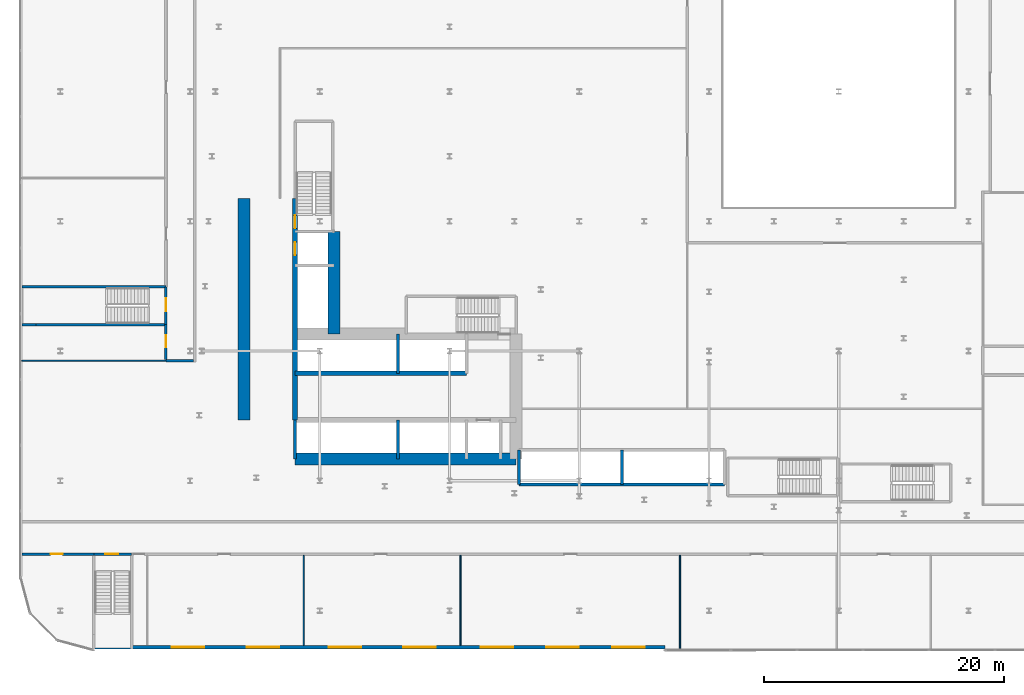
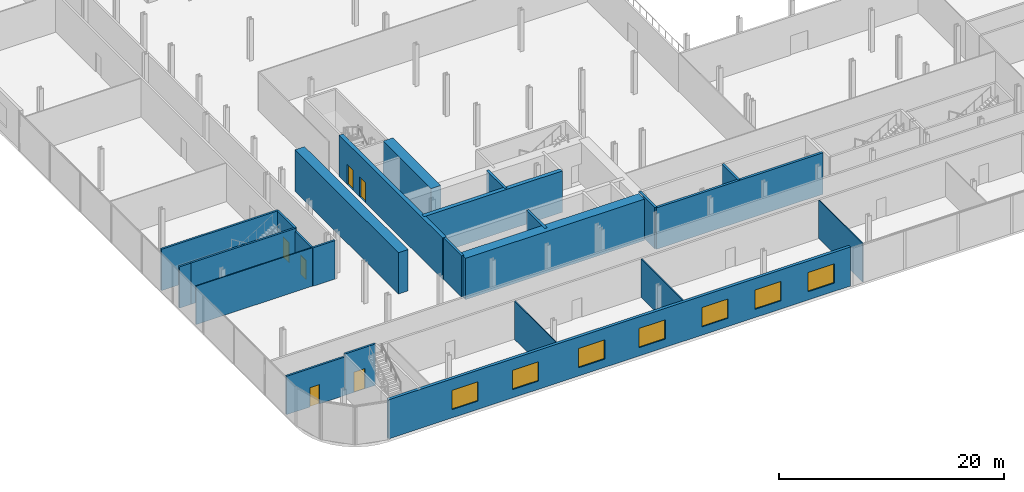
# One storey, part 26 of 47: 24 walls, 7 windows, 6 doors, 13 openings.
"""IFC4 building model written with IfcOpenShell, lengths in metres."""

from ifc_helpers import new_model, si_unit, direction, frame, frame_2d, origin, place, context, subcontext, project, spatial, rectangle, extrude, source, transform, mapped, material, layer, layer_set, type_object, element, fill, save


model = new_model("IFC4")

# Units and contexts
model_context = context("Model", 3, precision=1e-05, world=origin(), true_north=direction((0.0, 1.0)))
body_context = subcontext(model_context, "Body", "Model", "MODEL_VIEW")
ifc_project = project(units=[si_unit("LENGTHUNIT", "METRE"), si_unit("AREAUNIT", "SQUARE_METRE"), si_unit("VOLUMEUNIT", "CUBIC_METRE"), si_unit("PLANEANGLEUNIT", "RADIAN"), si_unit("MASSUNIT", "GRAM", prefix="KILO")], contexts=[model_context])

# Site, building, storey
site_placement = place(None, origin())
site = spatial("IfcSite", under=ifc_project, at=site_placement, CompositionType="ELEMENT")
building_placement = place(site_placement, origin())
building = spatial("IfcBuilding", under=site, at=building_placement, Name="Kheshtan School and Residences Tower", CompositionType="ELEMENT")
storey_placement = place(building_placement, frame((0.0, 0.0, 17.0)))
storey = spatial("IfcBuildingStorey", under=building, at=storey_placement, Name="L03", CompositionType="ELEMENT", Elevation=17.0)

# Walls
ifc_material_1 = material(Name="Concrete C80/95", Category="concrete")
ifc_layer_1 = layer(ifc_material_1, 1.0)
ifc_layer_set_1 = layer_set([ifc_layer_1], Name="Core wall 1000 Concrete C80/95")
wall_type_1 = type_object("IfcWallType", Name="Core wall 1000 Concrete C80/95", PredefinedType="SHEAR", material=ifc_layer_set_1)
wall_1_placement = place(storey_placement, frame((34.75, 25.800048828125, 0.0), z_axis=(0.0, 0.0, 1.0), x_axis=(1.0, 0.0, 0.0)))
element("IfcWall", 1, at=wall_1_placement, inside=storey, type_object=wall_type_1, Name="Core wall CW-REAR-S", PredefinedType="SHEAR", context=body_context, shape_type="SweptSolid", body=[
    extrude(rectangle(XDim=18.39990234375, YDim=1.0, at=frame_2d((9.199951171875, 0.0))), origin(), (0.0, 0.0, 1.0), 4.5),
])
wall_2_placement = place(storey_placement, frame((38.0, 36.199951171875, 0.0), z_axis=(0.0, 0.0, 1.0), x_axis=(0.0, 1.0, 0.0)))
element("IfcWall", 2, at=wall_2_placement, inside=storey, type_object=wall_type_1, Name="Core wall CW-FRONT-W", PredefinedType="SHEAR", context=body_context, shape_type="SweptSolid", body=[
    extrude(rectangle(XDim=8.550048828125, YDim=1.0, at=frame_2d((4.27490234375, 0.0))), origin(), (0.0, 0.0, 1.0), 4.5),
])
wall_3_placement = place(storey_placement, frame((30.5, 29.050048828125, 0.0), z_axis=(0.0, 0.0, 1.0), x_axis=(0.0, 1.0, 0.0)))
element("IfcWall", 3, at=wall_3_placement, inside=storey, type_object=wall_type_1, Name="Core wall CW-REAR-W", PredefinedType="SHEAR", context=body_context, shape_type="SweptSolid", body=[
    extrude(rectangle(XDim=18.449951171875, YDim=1.0, at=frame_2d((9.22509765625, 0.0))), origin(), (0.0, 0.0, 1.0), 4.5),
])
ifc_material_2 = material(Name="Concrete C50/60", Category="concrete")
ifc_layer_2 = layer(ifc_material_2, 0.39990234375)
ifc_layer_set_2 = layer_set([ifc_layer_2], Name="Core wall 400 Concrete C50/60")
wall_type_2 = type_object("IfcWallType", Name="Core wall 400 Concrete C50/60", PredefinedType="SHEAR", material=ifc_layer_set_2)
wall_4_placement = place(storey_placement, frame((34.75, 32.949951171875, 0.0), z_axis=(0.0, 0.0, 1.0), x_axis=(1.0, 0.0, 0.0)))
element("IfcWall", 4, at=wall_4_placement, inside=storey, type_object=wall_type_2, Name="Core wall CW-HALL-S2", PredefinedType="SHEAR", context=body_context, shape_type="SweptSolid", body=[
    extrude(rectangle(XDim=14.25, YDim=0.39990234375, at=frame_2d((7.125, 0.0))), origin(), (0.0, 0.0, 1.0), 4.5),
])

# Wall, openings, doors
wall_5_placement = place(storey_placement, frame((34.75, 29.050048828125, 0.0), z_axis=(0.0, 0.0, 1.0), x_axis=(0.0, 1.0, 0.0)))
wall_5 = element("IfcWall", 5, at=wall_5_placement, inside=storey, type_object=wall_type_2, Name="Core wall CW-HALL-W1", PredefinedType="SHEAR", context=body_context, shape_type="SweptSolid", body=[
    extrude(rectangle(XDim=18.449951171875, YDim=0.39990234375, at=frame_2d((9.22509765625, 0.0))), origin(), (0.0, 0.0, 1.0), 4.5),
])
opening_1_placement = place(wall_5_placement, frame((13.72509765625, 0.0, 0.0)))
opening_1 = element("IfcOpeningElement", 6, at=opening_1_placement, cuts=wall_5, Name="Opening LD", PredefinedType="OPENING", context=body_context, shape_type="SweptSolid", body=[
    extrude(rectangle(XDim=1.10009765625, YDim=2.199951171875, at=frame_2d((0.550048828125, 1.10009765625))), frame((0.0, 0.2099609375, 0.0), z_axis=(0.0, -1.0, 0.0), x_axis=(1.0, 0.0, 0.0)), (0.0, 0.0, 1.0), 0.419921875),
])
opening_2_placement = place(wall_5_placement, frame((15.949951171875, 0.0, 0.0)))
opening_2 = element("IfcOpeningElement", 7, at=opening_2_placement, cuts=wall_5, Name="Opening ST2D", PredefinedType="OPENING", context=body_context, shape_type="SweptSolid", body=[
    extrude(rectangle(XDim=1.10009765625, YDim=2.199951171875, at=frame_2d((0.550048828125, 1.10009765625))), frame((0.0, 0.2099609375, 0.0), z_axis=(0.0, -1.0, 0.0), x_axis=(1.0, 0.0, 0.0)), (0.0, 0.0, 1.0), 0.419921875),
])
ifc_material_3 = material(Name="Stainless steel door leaves", Category="steel")
door_type_1 = type_object("IfcDoorType", Name="Lift landing door 1100", OperationType="SLIDING_TO_LEFT", PredefinedType="DOOR", material=ifc_material_3)
shared_shape_1 = source(origin(), body_context, "Body", "SweptSolid", [
    extrude(rectangle(XDim=1.10009765625, YDim=2.199951171875, at=frame_2d((0.550048828125, 1.10009765625))), frame((0.0, 0.02490234375, 0.0), z_axis=(0.0, -1.0, 0.0), x_axis=(1.0, 0.0, 0.0)), (0.0, 0.0, 1.0), 0.050048828125),
])
door_1_placement = place(opening_1_placement, origin())
door_1 = element("IfcDoor", 8, at=door_1_placement, inside=storey, type_object=door_type_1, Name="Lift FFL1 landing door", OperationType="SLIDING_TO_LEFT", OverallHeight=2.199951171875, OverallWidth=1.10009765625, PredefinedType="DOOR", context=body_context, shape_type="MappedRepresentation", body=[
    mapped(shared_shape_1, transform((0.0, 0.0, 0.0), x_axis=(1.0, 0.0, 0.0), y_axis=(0.0, 1.0, 0.0), z_axis=(0.0, 0.0, 1.0), scale=1.0)),
])
fill(opening_1, door_1)
ifc_material_4 = material(Name="Steel door leaf, galvanised", Category="steel")
door_type_2 = type_object("IfcDoorType", Name="Stair door 1100 steel 90 min", OperationType="SINGLE_SWING_LEFT", PredefinedType="DOOR", material=ifc_material_4)
shared_shape_2 = source(origin(), body_context, "Body", "SweptSolid", [
    extrude(rectangle(XDim=1.10009765625, YDim=2.199951171875, at=frame_2d((0.550048828125, 1.10009765625))), frame((0.0, 0.02490234375, 0.0), z_axis=(0.0, -1.0, 0.0), x_axis=(1.0, 0.0, 0.0)), (0.0, 0.0, 1.0), 0.050048828125),
])
door_2_placement = place(opening_2_placement, origin())
door_2 = element("IfcDoor", 9, at=door_2_placement, inside=storey, type_object=door_type_2, Name="Stair ST2 door", OperationType="SINGLE_SWING_RIGHT", OverallHeight=2.199951171875, OverallWidth=1.10009765625, PredefinedType="DOOR", context=body_context, shape_type="MappedRepresentation", body=[
    mapped(shared_shape_2, transform((0.0, 0.0, 0.0), x_axis=(1.0, 0.0, 0.0), y_axis=(0.0, 1.0, 0.0), z_axis=(0.0, 0.0, 1.0), scale=1.0)),
])
fill(opening_2, door_2)

# Wall, opening, door
ifc_material_5 = material(Name="Gypsum board on steel studs with fire boards", Category="steel")
ifc_layer_3 = layer(ifc_material_5, 0.199951171875)
ifc_layer_set_3 = layer_set([ifc_layer_3], Name="Corridor wall 200")
wall_type_3 = type_object("IfcWallType", Name="Corridor wall 200", PredefinedType="PARTITIONING", material=ifc_layer_set_3)
wall_6_placement = place(storey_placement, frame((12.0, 17.89990234375, 0.0), z_axis=(0.0, 0.0, 1.0), x_axis=(1.0, 0.0, 0.0)))
wall_6 = element("IfcWall", 10, at=wall_6_placement, inside=storey, type_object=wall_type_3, Name="Partition L03-001", PredefinedType="PARTITIONING", context=body_context, shape_type="SweptSolid", body=[
    extrude(rectangle(XDim=6.0, YDim=0.199951171875, at=frame_2d((3.0, 0.0))), origin(), (0.0, 0.0, 1.0), 4.179931640625),
])
opening_3_placement = place(wall_6_placement, frame((2.39990234375, 0.0, 0.0)))
opening_3 = element("IfcOpeningElement", 11, at=opening_3_placement, cuts=wall_6, Name="Opening D03-034", PredefinedType="OPENING", context=body_context, shape_type="SweptSolid", body=[
    extrude(rectangle(XDim=1.0, YDim=2.10009765625, at=frame_2d((0.5, 1.050048828125))), frame((0.0, 0.10986328125, 0.0), z_axis=(0.0, -1.0, 0.0), x_axis=(1.0, 0.0, 0.0)), (0.0, 0.0, 1.0), 0.219970703125),
])
ifc_material_6 = material(Name="Steel-framed fire-resisting door leaf", Category="steel")
door_type_3 = type_object("IfcDoorType", Name="Fire door FD60 1000 x 2100", OperationType="SINGLE_SWING_LEFT", PredefinedType="DOOR", material=ifc_material_6)
shared_shape_3 = source(origin(), body_context, "Body", "SweptSolid", [
    extrude(rectangle(XDim=1.0, YDim=2.10009765625, at=frame_2d((0.5, 1.050048828125))), frame((0.0, 0.02490234375, 0.0), z_axis=(0.0, -1.0, 0.0), x_axis=(1.0, 0.0, 0.0)), (0.0, 0.0, 1.0), 0.050048828125),
])
door_3_placement = place(opening_3_placement, origin())
door_3 = element("IfcDoor", 12, at=door_3_placement, inside=storey, type_object=door_type_3, Name="Door D03-034", OperationType="SINGLE_SWING_LEFT", OverallHeight=2.10009765625, OverallWidth=1.0, PredefinedType="DOOR", context=body_context, shape_type="MappedRepresentation", body=[
    mapped(shared_shape_3, transform((0.0, 0.0, 0.0), x_axis=(1.0, 0.0, 0.0), y_axis=(0.0, 1.0, 0.0), z_axis=(0.0, 0.0, 1.0), scale=1.0)),
])
fill(opening_3, door_3)

# Wall
wall_7_placement = place(storey_placement, frame((24.0, 34.0, 0.0), z_axis=(0.0, 0.0, 1.0), x_axis=(1.0, 0.0, 0.0)))
element("IfcWall", 13, at=wall_7_placement, inside=storey, type_object=wall_type_3, Name="Partition L03-010", PredefinedType="PARTITIONING", context=body_context, shape_type="SweptSolid", body=[
    extrude(rectangle(XDim=2.300048828125, YDim=0.199951171875, at=frame_2d((1.14990234375, 0.0))), origin(), (0.0, 0.0, 1.0), 4.179931640625),
])

# Wall, opening, door
wall_8_placement = place(storey_placement, frame((24.0, 34.10009765625, 0.0), z_axis=(0.0, 0.0, 1.0), x_axis=(0.0, 1.0, 0.0)))
wall_8 = element("IfcWall", 14, at=wall_8_placement, inside=storey, type_object=wall_type_3, Name="Partition L03-011", PredefinedType="PARTITIONING", context=body_context, shape_type="SweptSolid", body=[
    extrude(rectangle(XDim=2.89990234375, YDim=0.199951171875, at=frame_2d((1.449951171875, 0.0))), origin(), (0.0, 0.0, 1.0), 4.179931640625),
])
opening_4_placement = place(wall_8_placement, frame((1.0, 0.0, 0.0)))
opening_4 = element("IfcOpeningElement", 15, at=opening_4_placement, cuts=wall_8, Name="Opening D03-052", PredefinedType="OPENING", context=body_context, shape_type="SweptSolid", body=[
    extrude(rectangle(XDim=1.0, YDim=2.10009765625, at=frame_2d((0.5, 1.050048828125))), frame((0.0, 0.10986328125, 0.0), z_axis=(0.0, -1.0, 0.0), x_axis=(1.0, 0.0, 0.0)), (0.0, 0.0, 1.0), 0.219970703125),
])
door_4_placement = place(opening_4_placement, origin())
door_4 = element("IfcDoor", 16, at=door_4_placement, inside=storey, type_object=door_type_3, Name="Door D03-052", OperationType="SINGLE_SWING_RIGHT", OverallHeight=2.10009765625, OverallWidth=1.0, PredefinedType="DOOR", context=body_context, shape_type="MappedRepresentation", body=[
    mapped(shared_shape_3, transform((0.0, 0.0, 0.0), x_axis=(1.0, 0.0, 0.0), y_axis=(0.0, 1.0, 0.0), z_axis=(0.0, 0.0, 1.0), scale=1.0)),
])
fill(opening_4, door_4)

# Walls
ifc_material_7 = material(Name="Gypsum board on steel studs", Category="steel")
ifc_layer_4 = layer(ifc_material_7, 0.10009765625)
ifc_layer_set_4 = layer_set([ifc_layer_4], Name="Gypsum partition 100")
wall_type_4 = type_object("IfcWallType", Name="Gypsum partition 100", PredefinedType="PARTITIONING", material=ifc_layer_set_4)
wall_9_placement = place(storey_placement, frame((12.0, 34.0, 0.0), z_axis=(0.0, 0.0, 1.0), x_axis=(1.0, 0.0, 0.0)))
element("IfcWall", 17, at=wall_9_placement, inside=storey, type_object=wall_type_4, Name="Partition L03-003", PredefinedType="PARTITIONING", context=body_context, shape_type="SweptSolid", body=[
    extrude(rectangle(XDim=12.0, YDim=0.10009765625, at=frame_2d((6.0, 0.0))), origin(), (0.0, 0.0, 1.0), 4.179931640625),
])
for number, where, z_axis, x_axis, name in (
    (18, (35.47802734375, 10.299072265625, 0.0), (0.0, 0.0, 1.0), (0.0, 1.0, 0.0), "Partition L03-017"),
    (19, (48.52197265625, 10.299072265625, 0.0), (0.0, 0.0, 1.0), (0.0, 1.0, 0.0), "Partition L03-018"),
):
    element("IfcWall", number, at=place(storey_placement, frame(where, z_axis=z_axis, x_axis=x_axis)), inside=storey, type_object=wall_type_4, Name=name, PredefinedType="PARTITIONING", context=body_context, shape_type="SweptSolid", body=[
        extrude(rectangle(XDim=7.5009765625, YDim=0.10009765625, at=frame_2d((3.75048828125, 0.0))), origin(), (0.0, 0.0, 1.0), 4.179931640625),
    ])
wall_10_placement = place(storey_placement, frame((66.782958984375, 10.0, 0.0), z_axis=(0.0, 0.0, 1.0), x_axis=(0.0, 1.0, 0.0)))
element("IfcWall", 20, at=wall_10_placement, inside=storey, type_object=wall_type_4, Name="Partition L03-028", PredefinedType="PARTITIONING", context=body_context, shape_type="SweptSolid", body=[
    extrude(rectangle(XDim=7.800048828125, YDim=0.10009765625, at=frame_2d((3.89990234375, 0.0))), origin(), (0.0, 0.0, 1.0), 4.179931640625),
])

# Wall, openings, windows
ifc_material_8 = material(Name="Concrete C40/50 with ceramic cladding and mineral wool insulation", Category="concrete")
ifc_layer_5 = layer(ifc_material_8, 0.300048828125)
ifc_layer_set_5 = layer_set([ifc_layer_5], Name="Podium external wall 300")
wall_type_5 = type_object("IfcWallType", Name="Podium external wall 300", PredefinedType="SOLIDWALL", material=ifc_layer_set_5)
wall_11_placement = place(storey_placement, frame((65.52001953125, 10.14990234375, 0.0), z_axis=(0.0, 0.0, 1.0), x_axis=(-1.0, 0.0, 0.0)))
wall_11 = element("IfcWall", 21, at=wall_11_placement, inside=storey, type_object=wall_type_5, Name="Podium external wall L03 12.1", PredefinedType="SOLIDWALL", context=body_context, shape_type="SweptSolid", body=[
    extrude(rectangle(XDim=47.52001953125, YDim=0.300048828125, at=frame_2d((23.760009765625, 0.0))), origin(), (0.0, 0.0, 1.0), 4.25),
])
opening_5_placement = place(wall_11_placement, frame((1.68310546875, 0.0, 0.89990234375)))
opening_5 = element("IfcOpeningElement", 22, at=opening_5_placement, cuts=wall_11, Name="Opening WN-D", PredefinedType="OPENING", context=body_context, shape_type="SweptSolid", body=[
    extrude(rectangle(XDim=2.699951171875, YDim=2.10009765625, at=frame_2d((1.35009765625, 1.050048828125))), frame((0.0, 0.16015625, 0.0), z_axis=(0.0, -1.0, 0.0), x_axis=(1.0, 0.0, 0.0)), (0.0, 0.0, 1.0), 0.320068359375),
])
opening_6_placement = place(wall_11_placement, frame((7.14990234375, 0.0, 0.89990234375)))
opening_6 = element("IfcOpeningElement", 23, at=opening_6_placement, cuts=wall_11, Name="Opening WN-D", PredefinedType="OPENING", context=body_context, shape_type="SweptSolid", body=[
    extrude(rectangle(XDim=2.699951171875, YDim=2.10009765625, at=frame_2d((1.35009765625, 1.050048828125))), frame((0.0, 0.16015625, 0.0), z_axis=(0.0, -1.0, 0.0), x_axis=(1.0, 0.0, 0.0)), (0.0, 0.0, 1.0), 0.320068359375),
])
opening_7_placement = place(wall_11_placement, frame((12.616943359375, 0.0, 0.89990234375)))
opening_7 = element("IfcOpeningElement", 24, at=opening_7_placement, cuts=wall_11, Name="Opening WN-D", PredefinedType="OPENING", context=body_context, shape_type="SweptSolid", body=[
    extrude(rectangle(XDim=2.699951171875, YDim=2.10009765625, at=frame_2d((1.35009765625, 1.050048828125))), frame((0.0, 0.16015625, 0.0), z_axis=(0.0, -1.0, 0.0), x_axis=(1.0, 0.0, 0.0)), (0.0, 0.0, 1.0), 0.320068359375),
])
opening_8_placement = place(wall_11_placement, frame((19.06005859375, 0.0, 0.89990234375)))
opening_8 = element("IfcOpeningElement", 25, at=opening_8_placement, cuts=wall_11, Name="Opening WN-D", PredefinedType="OPENING", context=body_context, shape_type="SweptSolid", body=[
    extrude(rectangle(XDim=2.699951171875, YDim=2.10009765625, at=frame_2d((1.35009765625, 1.050048828125))), frame((0.0, 0.16015625, 0.0), z_axis=(0.0, -1.0, 0.0), x_axis=(1.0, 0.0, 0.0)), (0.0, 0.0, 1.0), 0.320068359375),
])
opening_9_placement = place(wall_11_placement, frame((25.280029296875, 0.0, 0.89990234375)))
opening_9 = element("IfcOpeningElement", 26, at=opening_9_placement, cuts=wall_11, Name="Opening WN-D", PredefinedType="OPENING", context=body_context, shape_type="SweptSolid", body=[
    extrude(rectangle(XDim=2.699951171875, YDim=2.10009765625, at=frame_2d((1.35009765625, 1.050048828125))), frame((0.0, 0.16015625, 0.0), z_axis=(0.0, -1.0, 0.0), x_axis=(1.0, 0.0, 0.0)), (0.0, 0.0, 1.0), 0.320068359375),
])
opening_10_placement = place(wall_11_placement, frame((32.10009765625, 0.0, 0.89990234375)))
opening_10 = element("IfcOpeningElement", 27, at=opening_10_placement, cuts=wall_11, Name="Opening WN-D", PredefinedType="OPENING", context=body_context, shape_type="SweptSolid", body=[
    extrude(rectangle(XDim=2.699951171875, YDim=2.10009765625, at=frame_2d((1.35009765625, 1.050048828125))), frame((0.0, 0.16015625, 0.0), z_axis=(0.0, -1.0, 0.0), x_axis=(1.0, 0.0, 0.0)), (0.0, 0.0, 1.0), 0.320068359375),
])
opening_11_placement = place(wall_11_placement, frame((38.320068359375, 0.0, 0.89990234375)))
opening_11 = element("IfcOpeningElement", 28, at=opening_11_placement, cuts=wall_11, Name="Opening WN-D", PredefinedType="OPENING", context=body_context, shape_type="SweptSolid", body=[
    extrude(rectangle(XDim=2.699951171875, YDim=2.10009765625, at=frame_2d((1.35009765625, 1.050048828125))), frame((0.0, 0.16015625, 0.0), z_axis=(0.0, -1.0, 0.0), x_axis=(1.0, 0.0, 0.0)), (0.0, 0.0, 1.0), 0.320068359375),
])
ifc_material_9 = material(Name="Clear low-e glass in thermally broken aluminium frame", Category="aluminium")
window_type = type_object("IfcWindowType", Name="Window WN-D", PartitioningType="SINGLE_PANEL", PredefinedType="WINDOW", material=ifc_material_9)
shared_shape_4 = source(origin(), body_context, "Body", "SweptSolid", [
    extrude(rectangle(XDim=2.699951171875, YDim=2.10009765625, at=frame_2d((1.35009765625, 1.050048828125))), frame((0.0, 0.030029296875, 0.0), z_axis=(0.0, -1.0, 0.0), x_axis=(1.0, 0.0, 0.0)), (0.0, 0.0, 1.0), 0.06005859375),
])
window_1_placement = place(opening_5_placement, origin())
window_1 = element("IfcWindow", 29, at=window_1_placement, inside=storey, type_object=window_type, Name="Window L03 12.1.1", OverallHeight=2.10009765625, OverallWidth=2.699951171875, PartitioningType="SINGLE_PANEL", PredefinedType="WINDOW", context=body_context, shape_type="MappedRepresentation", body=[
    mapped(shared_shape_4, transform((0.0, 0.0, 0.0), x_axis=(1.0, 0.0, 0.0), y_axis=(0.0, 1.0, 0.0), z_axis=(0.0, 0.0, 1.0), scale=1.0)),
])
fill(opening_5, window_1)
window_2_placement = place(opening_6_placement, origin())
window_2 = element("IfcWindow", 30, at=window_2_placement, inside=storey, type_object=window_type, Name="Window L03 12.1.2", OverallHeight=2.10009765625, OverallWidth=2.699951171875, PartitioningType="SINGLE_PANEL", PredefinedType="WINDOW", context=body_context, shape_type="MappedRepresentation", body=[
    mapped(shared_shape_4, transform((0.0, 0.0, 0.0), x_axis=(1.0, 0.0, 0.0), y_axis=(0.0, 1.0, 0.0), z_axis=(0.0, 0.0, 1.0), scale=1.0)),
])
fill(opening_6, window_2)
window_3_placement = place(opening_7_placement, origin())
window_3 = element("IfcWindow", 31, at=window_3_placement, inside=storey, type_object=window_type, Name="Window L03 12.1.3", OverallHeight=2.10009765625, OverallWidth=2.699951171875, PartitioningType="SINGLE_PANEL", PredefinedType="WINDOW", context=body_context, shape_type="MappedRepresentation", body=[
    mapped(shared_shape_4, transform((0.0, 0.0, 0.0), x_axis=(1.0, 0.0, 0.0), y_axis=(0.0, 1.0, 0.0), z_axis=(0.0, 0.0, 1.0), scale=1.0)),
])
fill(opening_7, window_3)
window_4_placement = place(opening_8_placement, origin())
window_4 = element("IfcWindow", 32, at=window_4_placement, inside=storey, type_object=window_type, Name="Window L03 12.1.4", OverallHeight=2.10009765625, OverallWidth=2.699951171875, PartitioningType="SINGLE_PANEL", PredefinedType="WINDOW", context=body_context, shape_type="MappedRepresentation", body=[
    mapped(shared_shape_4, transform((0.0, 0.0, 0.0), x_axis=(1.0, 0.0, 0.0), y_axis=(0.0, 1.0, 0.0), z_axis=(0.0, 0.0, 1.0), scale=1.0)),
])
fill(opening_8, window_4)
window_5_placement = place(opening_9_placement, origin())
window_5 = element("IfcWindow", 33, at=window_5_placement, inside=storey, type_object=window_type, Name="Window L03 12.1.5", OverallHeight=2.10009765625, OverallWidth=2.699951171875, PartitioningType="SINGLE_PANEL", PredefinedType="WINDOW", context=body_context, shape_type="MappedRepresentation", body=[
    mapped(shared_shape_4, transform((0.0, 0.0, 0.0), x_axis=(1.0, 0.0, 0.0), y_axis=(0.0, 1.0, 0.0), z_axis=(0.0, 0.0, 1.0), scale=1.0)),
])
fill(opening_9, window_5)
window_6_placement = place(opening_10_placement, origin())
window_6 = element("IfcWindow", 34, at=window_6_placement, inside=storey, type_object=window_type, Name="Window L03 12.1.6", OverallHeight=2.10009765625, OverallWidth=2.699951171875, PartitioningType="SINGLE_PANEL", PredefinedType="WINDOW", context=body_context, shape_type="MappedRepresentation", body=[
    mapped(shared_shape_4, transform((0.0, 0.0, 0.0), x_axis=(1.0, 0.0, 0.0), y_axis=(0.0, 1.0, 0.0), z_axis=(0.0, 0.0, 1.0), scale=1.0)),
])
fill(opening_10, window_6)
window_7_placement = place(opening_11_placement, origin())
window_7 = element("IfcWindow", 35, at=window_7_placement, inside=storey, type_object=window_type, Name="Window L03 12.1.7", OverallHeight=2.10009765625, OverallWidth=2.699951171875, PartitioningType="SINGLE_PANEL", PredefinedType="WINDOW", context=body_context, shape_type="MappedRepresentation", body=[
    mapped(shared_shape_4, transform((0.0, 0.0, 0.0), x_axis=(1.0, 0.0, 0.0), y_axis=(0.0, 1.0, 0.0), z_axis=(0.0, 0.0, 1.0), scale=1.0)),
])
fill(opening_11, window_7)

# Walls
ifc_material_10 = material(Name="Fire-board shaft wall system")
ifc_layer_6 = layer(ifc_material_10, 0.25)
ifc_layer_set_6 = layer_set([ifc_layer_6], Name="Shaft lining wall 250")
wall_type_6 = type_object("IfcWallType", Name="Shaft lining wall 250", PredefinedType="PARTITIONING", material=ifc_layer_set_6)
for number, where, z_axis, x_axis, name in (
    (36, (34.75, 25.800048828125, 0.0), (0.0, 0.0, 1.0), (0.0, 1.0, 0.0), "Shaft lining wall"),
    (37, (43.300048828125, 25.800048828125, 0.0), (0.0, 0.0, 1.0), (0.0, 1.0, 0.0), "Shaft lining wall"),
    (38, (43.300048828125, 32.949951171875, 0.0), (0.0, 0.0, 1.0), (0.0, 1.0, 0.0), "Shaft lining wall"),
):
    element("IfcWall", number, at=place(storey_placement, frame(where, z_axis=z_axis, x_axis=x_axis)), inside=storey, type_object=wall_type_6, Name=name, PredefinedType="PARTITIONING", context=body_context, shape_type="SweptSolid", body=[
        extrude(rectangle(XDim=3.25, YDim=0.25, at=frame_2d((1.625, 0.0))), origin(), (0.0, 0.0, 1.0), 4.5),
    ])
for number, where, z_axis, x_axis, name in (
    (39, (53.39990234375, 23.699951171875, 0.0), (0.0, 0.0, 1.0), (0.0, 1.0, 0.0), "Shaft lining wall"),
    (40, (61.949951171875, 23.699951171875, 0.0), (0.0, 0.0, 1.0), (0.0, 1.0, 0.0), "Shaft lining wall"),
):
    element("IfcWall", number, at=place(storey_placement, frame(where, z_axis=z_axis, x_axis=x_axis)), inside=storey, type_object=wall_type_6, Name=name, PredefinedType="PARTITIONING", context=body_context, shape_type="SweptSolid", body=[
        extrude(rectangle(XDim=2.85009765625, YDim=0.25, at=frame_2d((1.425048828125, 0.0))), origin(), (0.0, 0.0, 1.0), 4.5),
    ])
wall_12_placement = place(storey_placement, frame((53.39990234375, 23.699951171875, 0.0), z_axis=(0.0, 0.0, 1.0), x_axis=(1.0, 0.0, 0.0)))
element("IfcWall", 41, at=wall_12_placement, inside=storey, type_object=wall_type_6, Name="Shaft lining wall", PredefinedType="PARTITIONING", context=body_context, shape_type="SweptSolid", body=[
    extrude(rectangle(XDim=17.10009765625, YDim=0.25, at=frame_2d((8.550048828125, 0.0))), origin(), (0.0, 0.0, 1.0), 4.5),
])

# Wall, opening, door
ifc_material_11 = material(Name="Concrete C40/50", Category="concrete")
ifc_layer_7 = layer(ifc_material_11, 0.199951171875)
ifc_layer_set_7 = layer_set([ifc_layer_7], Name="Stair enclosure wall 200 Concrete C40/50")
wall_type_7 = type_object("IfcWallType", Name="Stair enclosure wall 200 Concrete C40/50", PredefinedType="SHEAR", material=ifc_layer_set_7)
wall_13_placement = place(storey_placement, frame((18.0, 17.89990234375, 0.0), z_axis=(0.0, 0.0, 1.0), x_axis=(1.0, 0.0, 0.0)))
wall_13 = element("IfcWall", 42, at=wall_13_placement, inside=storey, type_object=wall_type_7, Name="Stair enclosure wall", PredefinedType="SHEAR", context=body_context, shape_type="SweptSolid", body=[
    extrude(rectangle(XDim=3.14990234375, YDim=0.199951171875, at=frame_2d((1.574951171875, 0.0))), origin(), (0.0, 0.0, 1.0), 4.5),
])
opening_12_placement = place(wall_13_placement, frame((0.949951171875, 0.0, 0.0)))
opening_12 = element("IfcOpeningElement", 43, at=opening_12_placement, cuts=wall_13, Name="Opening SD90", PredefinedType="OPENING", context=body_context, shape_type="SweptSolid", body=[
    extrude(rectangle(XDim=1.10009765625, YDim=2.199951171875, at=frame_2d((0.550048828125, 1.10009765625))), frame((0.0, 0.10986328125, 0.0), z_axis=(0.0, -1.0, 0.0), x_axis=(1.0, 0.0, 0.0)), (0.0, 0.0, 1.0), 0.219970703125),
])
door_5_placement = place(opening_12_placement, origin())
door_5 = element("IfcDoor", 44, at=door_5_placement, inside=storey, type_object=door_type_2, Name="Stair door", OperationType="SINGLE_SWING_RIGHT", OverallHeight=2.199951171875, OverallWidth=1.10009765625, PredefinedType="DOOR", context=body_context, shape_type="MappedRepresentation", body=[
    mapped(shared_shape_2, transform((0.0, 0.0, 0.0), x_axis=(1.0, 0.0, 0.0), y_axis=(0.0, 1.0, 0.0), z_axis=(0.0, 0.0, 1.0), scale=1.0)),
])
fill(opening_12, door_5)

# Walls
wall_14_placement = place(storey_placement, frame((12.0, 37.0, 0.0), z_axis=(0.0, 0.0, 1.0), x_axis=(1.0, 0.0, 0.0)))
element("IfcWall", 45, at=wall_14_placement, inside=storey, type_object=wall_type_7, Name="Stair enclosure wall", PredefinedType="SHEAR", context=body_context, shape_type="SweptSolid", body=[
    extrude(rectangle(XDim=1.199951171875, YDim=0.199951171875, at=frame_2d((0.60009765625, 0.0))), origin(), (0.0, 0.0, 1.0), 4.5),
])
wall_15_placement = place(storey_placement, frame((13.199951171875, 37.0, 0.0), z_axis=(0.0, 0.0, 1.0), x_axis=(1.0, 0.0, 0.0)))
element("IfcWall", 46, at=wall_15_placement, inside=storey, type_object=wall_type_7, Name="Stair enclosure wall", PredefinedType="SHEAR", context=body_context, shape_type="SweptSolid", body=[
    extrude(rectangle(XDim=10.800048828125, YDim=0.199951171875, at=frame_2d((5.39990234375, 0.0))), origin(), (0.0, 0.0, 1.0), 4.5),
])
wall_16_placement = place(storey_placement, frame((12.0, 40.14990234375, 0.0), z_axis=(0.0, 0.0, 1.0), x_axis=(1.0, 0.0, 0.0)))
element("IfcWall", 47, at=wall_16_placement, inside=storey, type_object=wall_type_7, Name="Stair enclosure wall", PredefinedType="SHEAR", context=body_context, shape_type="SweptSolid", body=[
    extrude(rectangle(XDim=12.0, YDim=0.199951171875, at=frame_2d((6.0, 0.0))), origin(), (0.0, 0.0, 1.0), 4.5),
])

# Wall, opening, door
wall_17_placement = place(storey_placement, frame((24.0, 37.0, 0.0), z_axis=(0.0, 0.0, 1.0), x_axis=(0.0, 1.0, 0.0)))
wall_17 = element("IfcWall", 48, at=wall_17_placement, inside=storey, type_object=wall_type_7, Name="Stair enclosure wall", PredefinedType="SHEAR", context=body_context, shape_type="SweptSolid", body=[
    extrude(rectangle(XDim=3.14990234375, YDim=0.199951171875, at=frame_2d((1.574951171875, 0.0))), origin(), (0.0, 0.0, 1.0), 4.5),
])
opening_13_placement = place(wall_17_placement, frame((1.10009765625, 0.0, 0.0)))
opening_13 = element("IfcOpeningElement", 49, at=opening_13_placement, cuts=wall_17, Name="Opening SD90", PredefinedType="OPENING", context=body_context, shape_type="SweptSolid", body=[
    extrude(rectangle(XDim=1.10009765625, YDim=2.199951171875, at=frame_2d((0.550048828125, 1.10009765625))), frame((0.0, 0.10986328125, 0.0), z_axis=(0.0, -1.0, 0.0), x_axis=(1.0, 0.0, 0.0)), (0.0, 0.0, 1.0), 0.219970703125),
])
door_6_placement = place(opening_13_placement, origin())
door_6 = element("IfcDoor", 50, at=door_6_placement, inside=storey, type_object=door_type_2, Name="Stair door", OperationType="SINGLE_SWING_RIGHT", OverallHeight=2.199951171875, OverallWidth=1.10009765625, PredefinedType="DOOR", context=body_context, shape_type="MappedRepresentation", body=[
    mapped(shared_shape_2, transform((0.0, 0.0, 0.0), x_axis=(1.0, 0.0, 0.0), y_axis=(0.0, 1.0, 0.0), z_axis=(0.0, 0.0, 1.0), scale=1.0)),
])
fill(opening_13, door_6)

save(model, "model.ifc")
